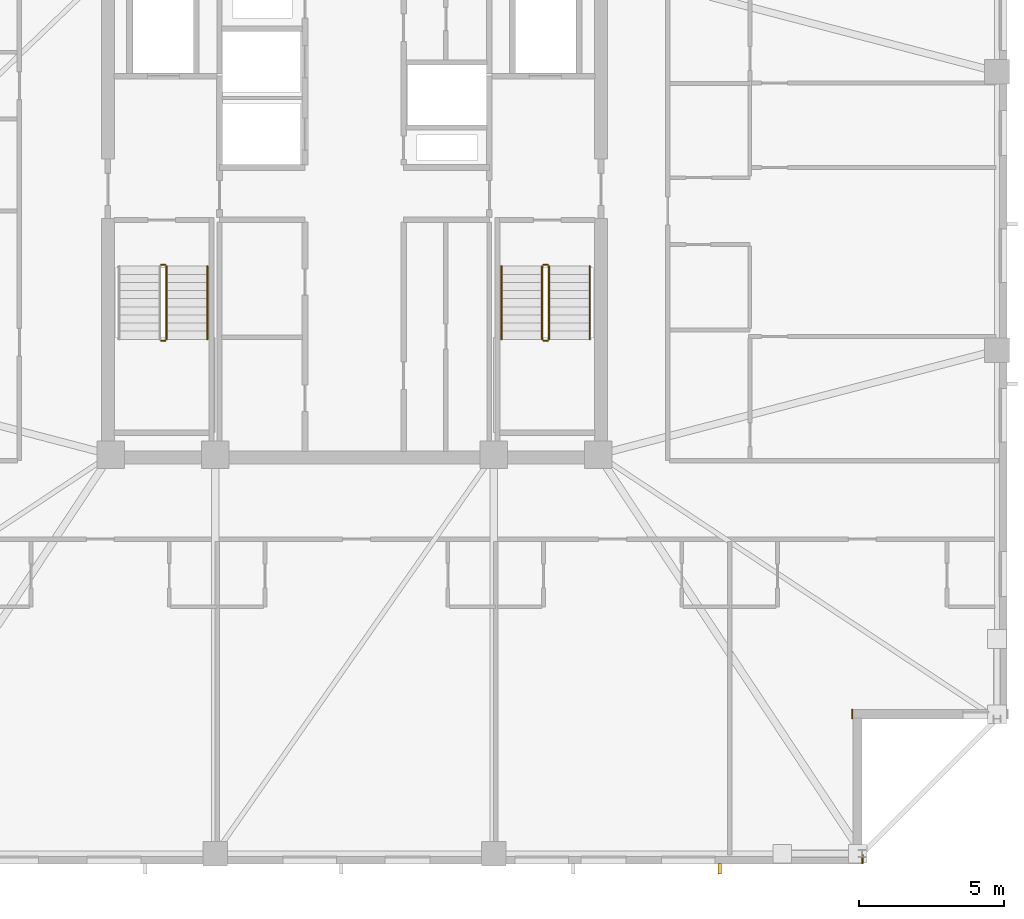
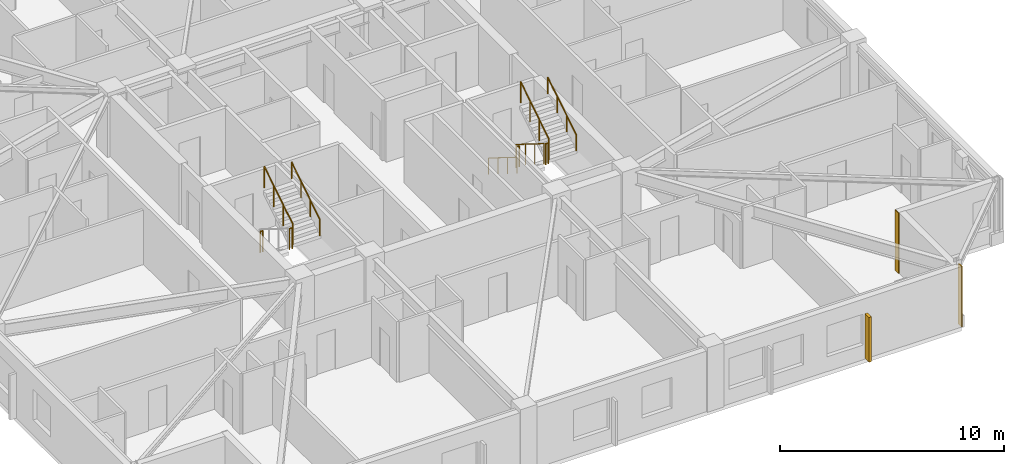
# One storey, part 14 of 17: 10 railings, 2 coverings, 1 shading device.
"""IFC4 building model written with IfcOpenShell, lengths in metres."""

from ifc_helpers import new_model, si_unit, direction, frame, frame_2d, origin, origin_2d, place, context, subcontext, project, spatial, rectangle, circle, extrude, material, layer, layer_set, type_object, element, save


model = new_model("IFC4")

# Units and contexts
model_context = context("Model", 3, precision=1e-05, world=origin(), true_north=direction((0.0, 1.0)))
body_context = subcontext(model_context, "Body", "Model", "MODEL_VIEW")
ifc_project = project(units=[si_unit("LENGTHUNIT", "METRE"), si_unit("AREAUNIT", "SQUARE_METRE"), si_unit("VOLUMEUNIT", "CUBIC_METRE"), si_unit("PLANEANGLEUNIT", "RADIAN"), si_unit("MASSUNIT", "GRAM", prefix="KILO")], contexts=[model_context])

# Site, building, storey
site_placement = place(None, origin())
site = spatial("IfcSite", under=ifc_project, at=site_placement, CompositionType="ELEMENT")
building_placement = place(site_placement, origin())
building = spatial("IfcBuilding", under=site, at=building_placement, Name="Cairnveth Concourse Tower", CompositionType="ELEMENT")
storey_placement = place(building_placement, frame((0.0, 0.0, 216.5)))
storey = spatial("IfcBuildingStorey", under=building, at=storey_placement, Name="L59", CompositionType="ELEMENT", Elevation=216.5)

# Coverings
ifc_material_1 = material(Name="Dressed Melbourne Bluestone Cladding", Category="masonry")
ifc_layer = layer(ifc_material_1, 0.050048828125)
ifc_layer_set = layer_set([ifc_layer], Name="Dressed Melbourne Bluestone Cladding")
covering_type = type_object("IfcCoveringType", Name="DRESSED BLUESTONE PLINTH CLADDING 50", PredefinedType="CLADDING", material=ifc_layer_set)
for number, where, z_axis, x_axis, name in (
    (1, (69.159912109375, 21.820068359375, 0.0), (0.0, 0.0, 1.0), (0.0, -1.0, 0.0), "Melbourne Bluestone Corner Quoin L59-884"),
    (2, (69.52001953125, 16.820068359375, 0.0), (0.0, 0.0, 1.0), (0.0, -1.0, 0.0), "Melbourne Bluestone Corner Quoin L59-885"),
):
    element("IfcCovering", number, at=place(storey_placement, frame(where, z_axis=z_axis, x_axis=x_axis)), inside=storey, type_object=covering_type, Name=name, PredefinedType="CLADDING", context=body_context, shape_type="SweptSolid", body=[
        extrude(rectangle(XDim=0.320068359375, YDim=0.050048828125, at=frame_2d((0.16015625, 0.0))), origin(), (0.0, 0.0, 1.0), 3.2900390625),
    ])

# Shading device
ifc_material_2 = material(Name="Architectural Bronze Anodised Aluminium 6063-T6", Category="aluminium")
shading_device_type = type_object("IfcShadingDeviceType", Name="GOTHIC BRONZE VERTICAL LANCET FIN", PredefinedType="USERDEFINED", material=ifc_material_2)
shading_device_placement = place(storey_placement, frame((64.597412109375, 16.324951171875, 0.030029296875), z_axis=(0.0, 0.0, 1.0), x_axis=(1.0, 0.0, 0.0)))
element("IfcShadingDevice", 3, at=shading_device_placement, inside=storey, type_object=shading_device_type, Name="Gothic Bronze Vertical Fin L59-6-1", ObjectType="VERTICAL FIN", PredefinedType="USERDEFINED", context=body_context, shape_type="SweptSolid", body=[
    extrude(rectangle(XDim=0.1201171875, YDim=0.360107421875, at=origin_2d()), origin(), (0.0, 0.0, 1.0), 2.43798828125),
])

# Railings
ifc_material_3 = material(Name="Steel Grade 350", Category="steel")
railing_type_1 = type_object("IfcRailingType", Name="STAIR GUARDRAIL 1150", PredefinedType="GUARDRAIL", material=ifc_material_3)
railing_1_placement = place(storey_placement, frame((45.340087890625, 34.530029296875, 1.75)))
element("IfcRailing", 4, at=railing_1_placement, inside=storey, type_object=railing_type_1, Name="L59 ST-1 stair guard 2", PredefinedType="GUARDRAIL", context=body_context, shape_type="SweptSolid", body=[
    extrude(circle(Radius=0.02392578125, at=origin_2d()), frame((0.0, 0.0, 1.1259765625), z_axis=(1.0, 0.0, 0.0), x_axis=(0.0, 1.0, 0.0)), (0.0, 0.0, 1.0), 0.139892578125),
    extrude(circle(Radius=0.02099609375, at=origin_2d()), origin(), (0.0, 0.0, 1.0), 1.101806640625),
    extrude(circle(Radius=0.02099609375, at=origin_2d()), frame((0.139892578125, 0.0, 0.0)), (0.0, 0.0, 1.0), 1.101806640625),
])
railing_2_placement = place(storey_placement, frame((45.530029296875, 34.580078125, 1.925048828125)))
element("IfcRailing", 5, at=railing_2_placement, inside=storey, type_object=railing_type_1, Name="L59 ST-1 stair guard 3", PredefinedType="GUARDRAIL", context=body_context, shape_type="SweptSolid", body=[
    extrude(circle(Radius=0.02392578125, at=origin_2d()), frame((0.0, 0.0, 1.1259765625), z_axis=(0.0, 0.848007534815, 0.529984170421), x_axis=(-1.0, 0.0, 0.0)), (0.0, 0.0, 1.0), 2.9716796875),
    extrude(circle(Radius=0.02099609375, at=origin_2d()), origin(), (0.0, 0.0, 1.0), 1.101806640625),
    extrude(circle(Radius=0.02099609375, at=origin_2d()), frame((0.0, 0.840087890625, 0.52490234375)), (0.0, 0.0, 1.0), 1.101806640625),
    extrude(circle(Radius=0.02099609375, at=origin_2d()), frame((0.0, 1.679931640625, 1.050048828125)), (0.0, 0.0, 1.0), 1.101806640625),
    extrude(circle(Radius=0.02099609375, at=origin_2d()), frame((0.0, 2.52001953125, 1.574951171875)), (0.0, 0.0, 1.0), 1.101806640625),
])
railing_3_placement = place(storey_placement, frame((45.340087890625, 37.14990234375, 0.0)))
element("IfcRailing", 6, at=railing_3_placement, inside=storey, type_object=railing_type_1, Name="L59 ST-1 stair guard 4", PredefinedType="GUARDRAIL", context=body_context, shape_type="SweptSolid", body=[
    extrude(circle(Radius=0.02392578125, at=origin_2d()), frame((0.0, 0.0, 1.1259765625), z_axis=(1.0, 0.0, 0.0), x_axis=(0.0, 1.0, 0.0)), (0.0, 0.0, 1.0), 0.139892578125),
    extrude(circle(Radius=0.02099609375, at=origin_2d()), origin(), (0.0, 0.0, 1.0), 1.101806640625),
    extrude(circle(Radius=0.02099609375, at=origin_2d()), frame((0.139892578125, 0.0, 0.0)), (0.0, 0.0, 1.0), 1.101806640625),
])
railing_4_placement = place(storey_placement, frame((58.469970703125, 37.10009765625, 0.175048828125)))
element("IfcRailing", 7, at=railing_4_placement, inside=storey, type_object=railing_type_1, Name="L59 ST-2 stair guard 1", PredefinedType="GUARDRAIL", context=body_context, shape_type="SweptSolid", body=[
    extrude(circle(Radius=0.02392578125, at=origin_2d()), frame((0.0, 0.0, 1.1259765625), z_axis=(0.0, -0.848007534815, 0.529984170421), x_axis=(1.0, 0.0, 0.0)), (0.0, 0.0, 1.0), 2.9716796875),
    extrude(circle(Radius=0.02099609375, at=origin_2d()), origin(), (0.0, 0.0, 1.0), 1.101806640625),
    extrude(circle(Radius=0.02099609375, at=origin_2d()), frame((0.0, -0.840087890625, 0.52490234375)), (0.0, 0.0, 1.0), 1.101806640625),
    extrude(circle(Radius=0.02099609375, at=origin_2d()), frame((0.0, -1.679931640625, 1.050048828125)), (0.0, 0.0, 1.0), 1.101806640625),
    extrude(circle(Radius=0.02099609375, at=origin_2d()), frame((0.0, -2.52001953125, 1.574951171875)), (0.0, 0.0, 1.0), 1.101806640625),
])
railing_5_placement = place(storey_placement, frame((58.52001953125, 34.530029296875, 1.75)))
element("IfcRailing", 8, at=railing_5_placement, inside=storey, type_object=railing_type_1, Name="L59 ST-2 stair guard 2", PredefinedType="GUARDRAIL", context=body_context, shape_type="SweptSolid", body=[
    extrude(circle(Radius=0.02392578125, at=origin_2d()), frame((0.0, 0.0, 1.1259765625), z_axis=(1.0, 0.0, 0.0), x_axis=(0.0, 1.0, 0.0)), (0.0, 0.0, 1.0), 0.139892578125),
    extrude(circle(Radius=0.02099609375, at=origin_2d()), origin(), (0.0, 0.0, 1.0), 1.101806640625),
    extrude(circle(Radius=0.02099609375, at=origin_2d()), frame((0.139892578125, 0.0, 0.0)), (0.0, 0.0, 1.0), 1.101806640625),
])
railing_6_placement = place(storey_placement, frame((58.7099609375, 34.580078125, 1.925048828125)))
element("IfcRailing", 9, at=railing_6_placement, inside=storey, type_object=railing_type_1, Name="L59 ST-2 stair guard 3", PredefinedType="GUARDRAIL", context=body_context, shape_type="SweptSolid", body=[
    extrude(circle(Radius=0.02392578125, at=origin_2d()), frame((0.0, 0.0, 1.1259765625), z_axis=(0.0, 0.848007534815, 0.529984170421), x_axis=(-1.0, 0.0, 0.0)), (0.0, 0.0, 1.0), 2.9716796875),
    extrude(circle(Radius=0.02099609375, at=origin_2d()), origin(), (0.0, 0.0, 1.0), 1.101806640625),
    extrude(circle(Radius=0.02099609375, at=origin_2d()), frame((0.0, 0.840087890625, 0.52490234375)), (0.0, 0.0, 1.0), 1.101806640625),
    extrude(circle(Radius=0.02099609375, at=origin_2d()), frame((0.0, 1.679931640625, 1.050048828125)), (0.0, 0.0, 1.0), 1.101806640625),
    extrude(circle(Radius=0.02099609375, at=origin_2d()), frame((0.0, 2.52001953125, 1.574951171875)), (0.0, 0.0, 1.0), 1.101806640625),
])
railing_7_placement = place(storey_placement, frame((58.52001953125, 37.14990234375, 0.0)))
element("IfcRailing", 10, at=railing_7_placement, inside=storey, type_object=railing_type_1, Name="L59 ST-2 stair guard 4", PredefinedType="GUARDRAIL", context=body_context, shape_type="SweptSolid", body=[
    extrude(circle(Radius=0.02392578125, at=origin_2d()), frame((0.0, 0.0, 1.1259765625), z_axis=(1.0, 0.0, 0.0), x_axis=(0.0, 1.0, 0.0)), (0.0, 0.0, 1.0), 0.139892578125),
    extrude(circle(Radius=0.02099609375, at=origin_2d()), origin(), (0.0, 0.0, 1.0), 1.101806640625),
    extrude(circle(Radius=0.02099609375, at=origin_2d()), frame((0.139892578125, 0.0, 0.0)), (0.0, 0.0, 1.0), 1.101806640625),
])
railing_type_2 = type_object("IfcRailingType", Name="STAIR WALL HANDRAIL 900", PredefinedType="HANDRAIL", material=ifc_material_3)
railing_8_placement = place(storey_placement, frame((46.929931640625, 34.580078125, 1.925048828125)))
element("IfcRailing", 11, at=railing_8_placement, inside=storey, type_object=railing_type_2, Name="L59 ST-1 stair handrail 2", PredefinedType="HANDRAIL", context=body_context, shape_type="SweptSolid", body=[
    extrude(circle(Radius=0.02392578125, at=origin_2d()), frame((0.0, 0.0, 0.8759765625), z_axis=(0.0, 0.848007534815, 0.529984170421), x_axis=(-1.0, 0.0, 0.0)), (0.0, 0.0, 1.0), 2.9716796875),
    extrude(circle(Radius=0.02099609375, at=origin_2d()), origin(), (0.0, 0.0, 1.0), 0.851806640625),
    extrude(circle(Radius=0.02099609375, at=origin_2d()), frame((0.0, 0.840087890625, 0.52490234375)), (0.0, 0.0, 1.0), 0.851806640625),
    extrude(circle(Radius=0.02099609375, at=origin_2d()), frame((0.0, 1.679931640625, 1.050048828125)), (0.0, 0.0, 1.0), 0.851806640625),
    extrude(circle(Radius=0.02099609375, at=origin_2d()), frame((0.0, 2.52001953125, 1.574951171875)), (0.0, 0.0, 1.0), 0.851806640625),
])
railing_9_placement = place(storey_placement, frame((57.070068359375, 37.10009765625, 0.175048828125)))
element("IfcRailing", 12, at=railing_9_placement, inside=storey, type_object=railing_type_2, Name="L59 ST-2 stair handrail 1", PredefinedType="HANDRAIL", context=body_context, shape_type="SweptSolid", body=[
    extrude(circle(Radius=0.02392578125, at=origin_2d()), frame((0.0, 0.0, 0.8759765625), z_axis=(0.0, -0.848007534815, 0.529984170421), x_axis=(1.0, 0.0, 0.0)), (0.0, 0.0, 1.0), 2.9716796875),
    extrude(circle(Radius=0.02099609375, at=origin_2d()), origin(), (0.0, 0.0, 1.0), 0.851806640625),
    extrude(circle(Radius=0.02099609375, at=origin_2d()), frame((0.0, -0.840087890625, 0.52490234375)), (0.0, 0.0, 1.0), 0.851806640625),
    extrude(circle(Radius=0.02099609375, at=origin_2d()), frame((0.0, -1.679931640625, 1.050048828125)), (0.0, 0.0, 1.0), 0.851806640625),
    extrude(circle(Radius=0.02099609375, at=origin_2d()), frame((0.0, -2.52001953125, 1.574951171875)), (0.0, 0.0, 1.0), 0.851806640625),
])
railing_10_placement = place(storey_placement, frame((60.110107421875, 34.580078125, 1.925048828125)))
element("IfcRailing", 13, at=railing_10_placement, inside=storey, type_object=railing_type_2, Name="L59 ST-2 stair handrail 2", PredefinedType="HANDRAIL", context=body_context, shape_type="SweptSolid", body=[
    extrude(circle(Radius=0.02392578125, at=origin_2d()), frame((0.0, 0.0, 0.8759765625), z_axis=(0.0, 0.848007534815, 0.529984170421), x_axis=(-1.0, 0.0, 0.0)), (0.0, 0.0, 1.0), 2.9716796875),
    extrude(circle(Radius=0.02099609375, at=origin_2d()), origin(), (0.0, 0.0, 1.0), 0.851806640625),
    extrude(circle(Radius=0.02099609375, at=origin_2d()), frame((0.0, 0.840087890625, 0.52490234375)), (0.0, 0.0, 1.0), 0.851806640625),
    extrude(circle(Radius=0.02099609375, at=origin_2d()), frame((0.0, 1.679931640625, 1.050048828125)), (0.0, 0.0, 1.0), 0.851806640625),
    extrude(circle(Radius=0.02099609375, at=origin_2d()), frame((0.0, 2.52001953125, 1.574951171875)), (0.0, 0.0, 1.0), 0.851806640625),
])

save(model, "model.ifc")
